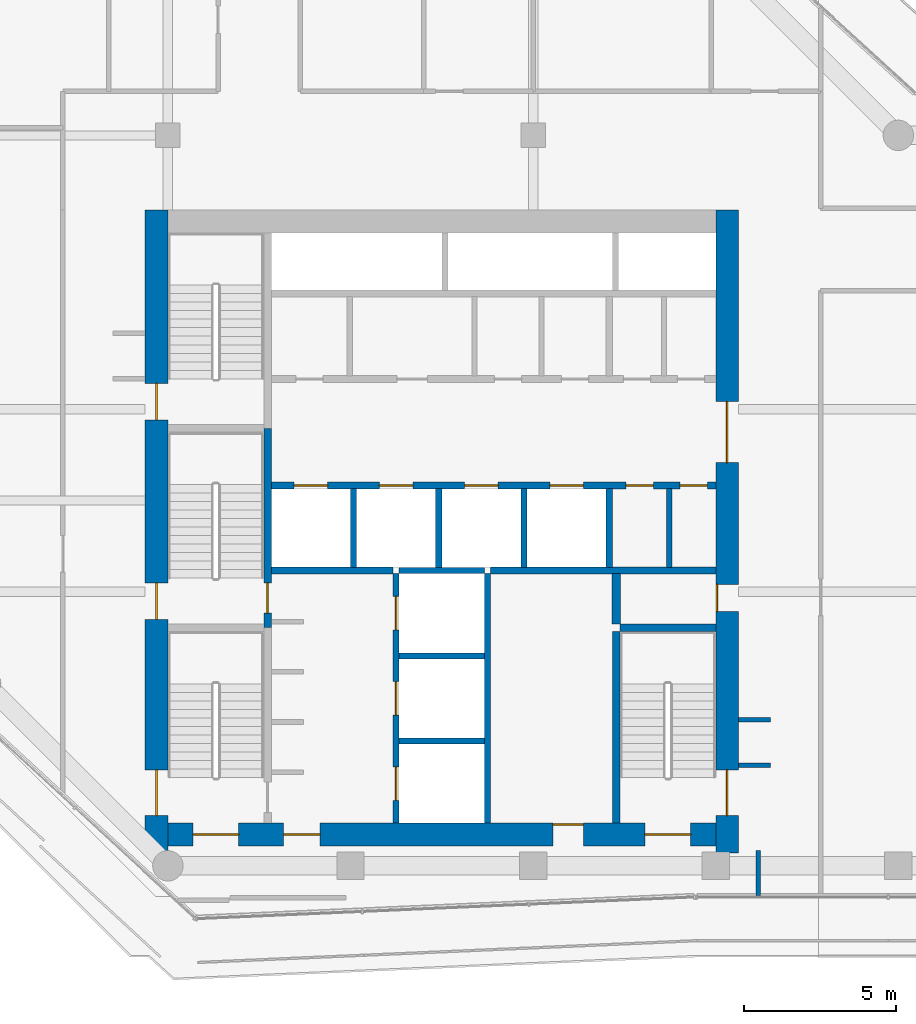
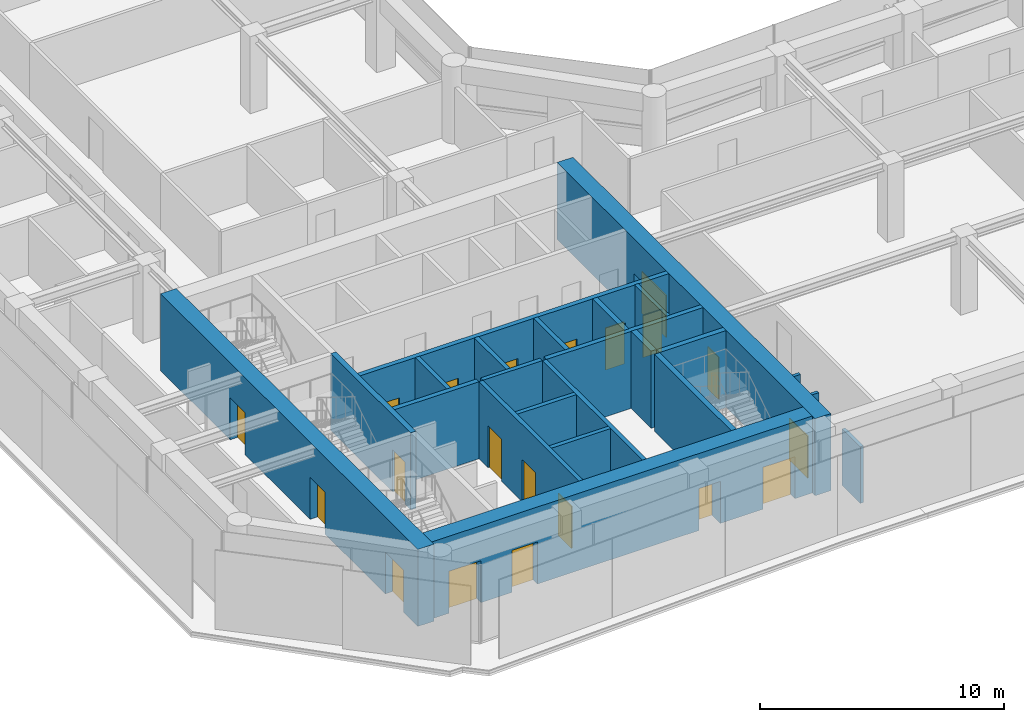
# One storey, part 19 of 24: 23 walls, 20 doors, 20 openings.
"""IFC4 building model written with IfcOpenShell, lengths in metres."""

from ifc_helpers import new_model, si_unit, direction, frame, frame_2d, origin, place, context, subcontext, project, spatial, rectangle, extrude, material, layer, layer_set, type_object, element, fill, save


model = new_model("IFC4")

# Units and contexts
model_context = context("Model", 3, precision=1e-05, world=origin(), true_north=direction((0.0, 1.0)))
body_context = subcontext(model_context, "Body", "Model", "MODEL_VIEW")
ifc_project = project(units=[si_unit("LENGTHUNIT", "METRE"), si_unit("AREAUNIT", "SQUARE_METRE"), si_unit("VOLUMEUNIT", "CUBIC_METRE"), si_unit("PLANEANGLEUNIT", "RADIAN"), si_unit("MASSUNIT", "GRAM", prefix="KILO")], contexts=[model_context])

# Site, building, storey
site_placement = place(None, origin())
site = spatial("IfcSite", under=ifc_project, at=site_placement, CompositionType="ELEMENT")
building_placement = place(site_placement, origin())
building = spatial("IfcBuilding", under=site, at=building_placement, Name="Welwitschia Terrace Campus", CompositionType="ELEMENT")
storey_placement = place(building_placement, frame((0.0, 0.0, 100.39990234375)))
storey = spatial("IfcBuildingStorey", under=building, at=storey_placement, Name="L22", CompositionType="ELEMENT", Elevation=100.39990234375)

# Walls
ifc_material_1 = material(Name="Concrete C32/40", Category="concrete")
ifc_layer_1 = layer(ifc_material_1, 0.175048828125)
ifc_layer_set_1 = layer_set([ifc_layer_1], Name="Concrete C32/40")
wall_type_1 = type_object("IfcWallType", Name="Core partition 175 Concrete C32/40", PredefinedType="PARTITIONING", material=ifc_layer_set_1)
wall_1_placement = place(storey_placement, frame((22.469970703125, 13.800048828125, 0.0), z_axis=(0.0, 0.0, 1.0), x_axis=(0.0, 1.0, 0.0)))
element("IfcWall", 1, at=wall_1_placement, inside=storey, type_object=wall_type_1, Name="Core partition", PredefinedType="PARTITIONING", context=body_context, shape_type="SweptSolid", body=[
    extrude(rectangle(XDim=2.599853515625, YDim=0.175048828125, at=frame_2d((1.2998046875, 0.0))), origin(), (0.0, 0.0, 1.0), 3.85009765625),
])
ifc_material_2 = material(Name="Concrete C32/40", Category="concrete")
ifc_layer_2 = layer(ifc_material_2, 0.22509765625)
ifc_layer_set_2 = layer_set([ifc_layer_2], Name="Concrete C32/40")
wall_type_2 = type_object("IfcWallType", Name="Core partition 225 Concrete C32/40", PredefinedType="PARTITIONING", material=ifc_layer_set_2)
wall_2_placement = place(storey_placement, frame((9.39990234375, 13.699951171875, 0.0), z_axis=(0.0, 0.0, 1.0), x_axis=(1.0, 0.0, 0.0)))
element("IfcWall", 2, at=wall_2_placement, inside=storey, type_object=wall_type_2, Name="Shaft wall", PredefinedType="PARTITIONING", context=body_context, shape_type="SweptSolid", body=[
    extrude(rectangle(XDim=4.0, YDim=0.22509765625, at=frame_2d((2.0, 0.0))), origin(), (0.0, 0.0, 1.0), 3.85009765625),
])
wall_3_placement = place(storey_placement, frame((16.60009765625, 13.699951171875, 0.0), z_axis=(0.0, 0.0, 1.0), x_axis=(1.0, 0.0, 0.0)))
element("IfcWall", 3, at=wall_3_placement, inside=storey, type_object=wall_type_2, Name="Shaft wall", PredefinedType="PARTITIONING", context=body_context, shape_type="SweptSolid", body=[
    extrude(rectangle(XDim=7.39990234375, YDim=0.22509765625, at=frame_2d((3.699951171875, 0.0))), origin(), (0.0, 0.0, 1.0), 3.85009765625),
])

# Wall, openings, doors
wall_4_placement = place(storey_placement, frame((9.39990234375, 16.5, 0.0), z_axis=(0.0, 0.0, 1.0), x_axis=(1.0, 0.0, 0.0)))
wall_4 = element("IfcWall", 4, at=wall_4_placement, inside=storey, type_object=wall_type_2, Name="Shaft wall", PredefinedType="PARTITIONING", context=body_context, shape_type="SweptSolid", body=[
    extrude(rectangle(XDim=14.60009765625, YDim=0.22509765625, at=frame_2d((7.300048828125, 0.0))), origin(), (0.0, 0.0, 1.0), 3.85009765625),
])
opening_1_placement = place(wall_4_placement, frame((0.75, 0.0, 0.0)))
opening_1 = element("IfcOpeningElement", 5, at=opening_1_placement, cuts=wall_4, Name="Opening LD", PredefinedType="OPENING", context=body_context, shape_type="SweptSolid", body=[
    extrude(rectangle(XDim=1.10009765625, YDim=2.10009765625, at=frame_2d((0.550048828125, 1.050048828125))), frame((0.0, 0.12255859375, 0.0), z_axis=(0.0, -1.0, 0.0), x_axis=(1.0, 0.0, 0.0)), (0.0, 0.0, 1.0), 0.2451171875),
])
opening_2_placement = place(wall_4_placement, frame((3.550048828125, 0.0, 0.0)))
opening_2 = element("IfcOpeningElement", 6, at=opening_2_placement, cuts=wall_4, Name="Opening LD", PredefinedType="OPENING", context=body_context, shape_type="SweptSolid", body=[
    extrude(rectangle(XDim=1.10009765625, YDim=2.10009765625, at=frame_2d((0.550048828125, 1.050048828125))), frame((0.0, 0.12255859375, 0.0), z_axis=(0.0, -1.0, 0.0), x_axis=(1.0, 0.0, 0.0)), (0.0, 0.0, 1.0), 0.2451171875),
])
opening_3_placement = place(wall_4_placement, frame((6.35009765625, 0.0, 0.0)))
opening_3 = element("IfcOpeningElement", 7, at=opening_3_placement, cuts=wall_4, Name="Opening LD", PredefinedType="OPENING", context=body_context, shape_type="SweptSolid", body=[
    extrude(rectangle(XDim=1.10009765625, YDim=2.10009765625, at=frame_2d((0.550048828125, 1.050048828125))), frame((0.0, 0.12255859375, 0.0), z_axis=(0.0, -1.0, 0.0), x_axis=(1.0, 0.0, 0.0)), (0.0, 0.0, 1.0), 0.2451171875),
])
opening_4_placement = place(wall_4_placement, frame((9.14990234375, 0.0, 0.0)))
opening_4 = element("IfcOpeningElement", 8, at=opening_4_placement, cuts=wall_4, Name="Opening LD", PredefinedType="OPENING", context=body_context, shape_type="SweptSolid", body=[
    extrude(rectangle(XDim=1.10009765625, YDim=2.10009765625, at=frame_2d((0.550048828125, 1.050048828125))), frame((0.0, 0.12255859375, 0.0), z_axis=(0.0, -1.0, 0.0), x_axis=(1.0, 0.0, 0.0)), (0.0, 0.0, 1.0), 0.2451171875),
])
opening_5_placement = place(wall_4_placement, frame((11.6474609375, 0.0, 0.0)))
opening_5 = element("IfcOpeningElement", 9, at=opening_5_placement, cuts=wall_4, Name="Opening DR09", PredefinedType="OPENING", context=body_context, shape_type="SweptSolid", body=[
    extrude(rectangle(XDim=0.89990234375, YDim=2.10009765625, at=frame_2d((0.449951171875, 1.050048828125))), frame((0.0, 0.12255859375, 0.0), z_axis=(0.0, -1.0, 0.0), x_axis=(1.0, 0.0, 0.0)), (0.0, 0.0, 1.0), 0.2451171875),
])
opening_6_placement = place(wall_4_placement, frame((13.422607421875, 0.0, 0.0)))
opening_6 = element("IfcOpeningElement", 10, at=opening_6_placement, cuts=wall_4, Name="Opening DR09", PredefinedType="OPENING", context=body_context, shape_type="SweptSolid", body=[
    extrude(rectangle(XDim=0.89990234375, YDim=2.10009765625, at=frame_2d((0.449951171875, 1.050048828125))), frame((0.0, 0.12255859375, 0.0), z_axis=(0.0, -1.0, 0.0), x_axis=(1.0, 0.0, 0.0)), (0.0, 0.0, 1.0), 0.2451171875),
])
ifc_material_3 = material(Name="Steel S275", Category="steel")
door_type_1 = type_object("IfcDoorType", Name="Core door DR09", OperationType="SINGLE_SWING_LEFT", PredefinedType="DOOR", material=ifc_material_3)
door_1_placement = place(opening_5_placement, origin())
door_1 = element("IfcDoor", 11, at=door_1_placement, inside=storey, type_object=door_type_1, Name="Door EL1-D", OperationType="SINGLE_SWING_RIGHT", OverallHeight=2.10009765625, OverallWidth=0.89990234375, PredefinedType="DOOR", context=body_context, shape_type="SweptSolid", body=[
    extrude(rectangle(XDim=0.89990234375, YDim=2.10009765625, at=frame_2d((0.449951171875, 1.050048828125))), frame((0.0, 0.02490234375, 0.0), z_axis=(0.0, -1.0, 0.0), x_axis=(1.0, 0.0, 0.0)), (0.0, 0.0, 1.0), 0.050048828125),
])
fill(opening_5, door_1)
door_2_placement = place(opening_6_placement, origin())
door_2 = element("IfcDoor", 12, at=door_2_placement, inside=storey, type_object=door_type_1, Name="Door EL2-D", OperationType="SINGLE_SWING_RIGHT", OverallHeight=2.10009765625, OverallWidth=0.89990234375, PredefinedType="DOOR", context=body_context, shape_type="SweptSolid", body=[
    extrude(rectangle(XDim=0.89990234375, YDim=2.10009765625, at=frame_2d((0.449951171875, 1.050048828125))), frame((0.0, 0.02490234375, 0.0), z_axis=(0.0, -1.0, 0.0), x_axis=(1.0, 0.0, 0.0)), (0.0, 0.0, 1.0), 0.050048828125),
])
fill(opening_6, door_2)
ifc_material_4 = material(Name="Stainless steel 304", Category="steel")
door_type_2 = type_object("IfcDoorType", Name="Lift landing door", OperationType="DOUBLE_DOOR_SLIDING", PredefinedType="DOOR", material=ifc_material_4)
door_3_placement = place(opening_1_placement, origin())
door_3 = element("IfcDoor", 13, at=door_3_placement, inside=storey, type_object=door_type_2, Name="Landing door LR1", OperationType="DOUBLE_DOOR_SLIDING", OverallHeight=2.10009765625, OverallWidth=1.10009765625, PredefinedType="DOOR", context=body_context, shape_type="SweptSolid", body=[
    extrude(rectangle(XDim=1.10009765625, YDim=2.10009765625, at=frame_2d((0.550048828125, 1.050048828125))), frame((0.0, 0.02490234375, 0.0), z_axis=(0.0, -1.0, 0.0), x_axis=(1.0, 0.0, 0.0)), (0.0, 0.0, 1.0), 0.050048828125),
])
fill(opening_1, door_3)
door_4_placement = place(opening_2_placement, origin())
door_4 = element("IfcDoor", 14, at=door_4_placement, inside=storey, type_object=door_type_2, Name="Landing door LR2", OperationType="DOUBLE_DOOR_SLIDING", OverallHeight=2.10009765625, OverallWidth=1.10009765625, PredefinedType="DOOR", context=body_context, shape_type="SweptSolid", body=[
    extrude(rectangle(XDim=1.10009765625, YDim=2.10009765625, at=frame_2d((0.550048828125, 1.050048828125))), frame((0.0, 0.02490234375, 0.0), z_axis=(0.0, -1.0, 0.0), x_axis=(1.0, 0.0, 0.0)), (0.0, 0.0, 1.0), 0.050048828125),
])
fill(opening_2, door_4)
door_5_placement = place(opening_3_placement, origin())
door_5 = element("IfcDoor", 15, at=door_5_placement, inside=storey, type_object=door_type_2, Name="Landing door LR3", OperationType="DOUBLE_DOOR_SLIDING", OverallHeight=2.10009765625, OverallWidth=1.10009765625, PredefinedType="DOOR", context=body_context, shape_type="SweptSolid", body=[
    extrude(rectangle(XDim=1.10009765625, YDim=2.10009765625, at=frame_2d((0.550048828125, 1.050048828125))), frame((0.0, 0.02490234375, 0.0), z_axis=(0.0, -1.0, 0.0), x_axis=(1.0, 0.0, 0.0)), (0.0, 0.0, 1.0), 0.050048828125),
])
fill(opening_3, door_5)
door_6_placement = place(opening_4_placement, origin())
door_6 = element("IfcDoor", 16, at=door_6_placement, inside=storey, type_object=door_type_2, Name="Landing door LR4", OperationType="DOUBLE_DOOR_SLIDING", OverallHeight=2.10009765625, OverallWidth=1.10009765625, PredefinedType="DOOR", context=body_context, shape_type="SweptSolid", body=[
    extrude(rectangle(XDim=1.10009765625, YDim=2.10009765625, at=frame_2d((0.550048828125, 1.050048828125))), frame((0.0, 0.02490234375, 0.0), z_axis=(0.0, -1.0, 0.0), x_axis=(1.0, 0.0, 0.0)), (0.0, 0.0, 1.0), 0.050048828125),
])
fill(opening_4, door_6)

# Walls
wall_5_placement = place(storey_placement, frame((20.5, 13.800048828125, 0.0), z_axis=(0.0, 0.0, 1.0), x_axis=(0.0, 1.0, 0.0)))
element("IfcWall", 17, at=wall_5_placement, inside=storey, type_object=wall_type_2, Name="Shaft wall", PredefinedType="PARTITIONING", context=body_context, shape_type="SweptSolid", body=[
    extrude(rectangle(XDim=2.599853515625, YDim=0.22509765625, at=frame_2d((1.2998046875, 0.0))), origin(), (0.0, 0.0, 1.0), 3.85009765625),
])
ifc_material_5 = material(Name="Concrete C32/40", Category="concrete")
ifc_layer_3 = layer(ifc_material_5, 0.27490234375)
ifc_layer_set_3 = layer_set([ifc_layer_3], Name="Concrete C32/40")
wall_type_3 = type_object("IfcWallType", Name="Core partition 275 Concrete C32/40", PredefinedType="PARTITIONING", material=ifc_layer_set_3)
wall_6_placement = place(storey_placement, frame((20.72509765625, 11.949951171875, 0.0), z_axis=(0.0, 0.0, 1.0), x_axis=(0.0, 1.0, 0.0)))
element("IfcWall", 18, at=wall_6_placement, inside=storey, type_object=wall_type_3, Name="Core partition", PredefinedType="PARTITIONING", context=body_context, shape_type="SweptSolid", body=[
    extrude(rectangle(XDim=1.650146484375, YDim=0.27490234375, at=frame_2d((0.8251953125, 0.0))), origin(), (0.0, 0.0, 1.0), 3.85009765625),
])
ifc_material_6 = material(Name="Concrete C50/60", Category="concrete")
ifc_layer_4 = layer(ifc_material_6, 0.199951171875)
ifc_layer_set_4 = layer_set([ifc_layer_4], Name="Concrete C50/60")
wall_type_4 = type_object("IfcWallType", Name="Core wall 200 Concrete C50/60", PredefinedType="SHEAR", material=ifc_layer_set_4)
for number, where, z_axis, x_axis, name in (
    (19, (13.60009765625, 8.10009765625, 0.0), (0.0, 0.0, 1.0), (1.0, 0.0, 0.0), "Core wall"),
    (20, (13.60009765625, 10.89990234375, 0.0), (0.0, 0.0, 1.0), (1.0, 0.0, 0.0), "Core wall"),
    (21, (13.60009765625, 13.699951171875, 0.0), (0.0, 0.0, 1.0), (1.0, 0.0, 0.0), "Core wall"),
):
    element("IfcWall", number, at=place(storey_placement, frame(where, z_axis=z_axis, x_axis=x_axis)), inside=storey, type_object=wall_type_4, Name=name, PredefinedType="SHEAR", context=body_context, shape_type="SweptSolid", body=[
        extrude(rectangle(XDim=2.7998046875, YDim=0.199951171875, at=frame_2d((1.39990234375, 0.0))), origin(), (0.0, 0.0, 1.0), 3.85009765625),
    ])

# Wall, openings, doors
wall_7_placement = place(storey_placement, frame((13.5, 5.39990234375, 0.0), z_axis=(0.0, 0.0, 1.0), x_axis=(0.0, 1.0, 0.0)))
wall_7 = element("IfcWall", 22, at=wall_7_placement, inside=storey, type_object=wall_type_4, Name="Core wall", PredefinedType="SHEAR", context=body_context, shape_type="SweptSolid", body=[
    extrude(rectangle(XDim=8.2001953125, YDim=0.199951171875, at=frame_2d((4.10009765625, 0.0))), origin(), (0.0, 0.0, 1.0), 3.85009765625),
])
opening_7_placement = place(wall_7_placement, frame((0.75, 0.0, 0.0)))
opening_7 = element("IfcOpeningElement", 23, at=opening_7_placement, cuts=wall_7, Name="Opening LD", PredefinedType="OPENING", context=body_context, shape_type="SweptSolid", body=[
    extrude(rectangle(XDim=1.10009765625, YDim=2.10009765625, at=frame_2d((0.550048828125, 1.050048828125))), frame((0.0, 0.10986328125, 0.0), z_axis=(0.0, -1.0, 0.0), x_axis=(1.0, 0.0, 0.0)), (0.0, 0.0, 1.0), 0.219970703125),
])
opening_8_placement = place(wall_7_placement, frame((3.550048828125, 0.0, 0.0)))
opening_8 = element("IfcOpeningElement", 24, at=opening_8_placement, cuts=wall_7, Name="Opening LD", PredefinedType="OPENING", context=body_context, shape_type="SweptSolid", body=[
    extrude(rectangle(XDim=1.10009765625, YDim=2.10009765625, at=frame_2d((0.550048828125, 1.050048828125))), frame((0.0, 0.10986328125, 0.0), z_axis=(0.0, -1.0, 0.0), x_axis=(1.0, 0.0, 0.0)), (0.0, 0.0, 1.0), 0.219970703125),
])
opening_9_placement = place(wall_7_placement, frame((6.35009765625, 0.0, 0.0)))
opening_9 = element("IfcOpeningElement", 25, at=opening_9_placement, cuts=wall_7, Name="Opening LD", PredefinedType="OPENING", context=body_context, shape_type="SweptSolid", body=[
    extrude(rectangle(XDim=1.10009765625, YDim=2.10009765625, at=frame_2d((0.550048828125, 1.050048828125))), frame((0.0, 0.10986328125, 0.0), z_axis=(0.0, -1.0, 0.0), x_axis=(1.0, 0.0, 0.0)), (0.0, 0.0, 1.0), 0.219970703125),
])
door_7_placement = place(opening_7_placement, origin())
door_7 = element("IfcDoor", 26, at=door_7_placement, inside=storey, type_object=door_type_2, Name="Landing door FF1", OperationType="DOUBLE_DOOR_SLIDING", OverallHeight=2.10009765625, OverallWidth=1.10009765625, PredefinedType="DOOR", context=body_context, shape_type="SweptSolid", body=[
    extrude(rectangle(XDim=1.10009765625, YDim=2.10009765625, at=frame_2d((0.550048828125, 1.050048828125))), frame((0.0, 0.02490234375, 0.0), z_axis=(0.0, -1.0, 0.0), x_axis=(1.0, 0.0, 0.0)), (0.0, 0.0, 1.0), 0.050048828125),
])
fill(opening_7, door_7)
door_8_placement = place(opening_8_placement, origin())
door_8 = element("IfcDoor", 27, at=door_8_placement, inside=storey, type_object=door_type_2, Name="Landing door FF2", OperationType="DOUBLE_DOOR_SLIDING", OverallHeight=2.10009765625, OverallWidth=1.10009765625, PredefinedType="DOOR", context=body_context, shape_type="SweptSolid", body=[
    extrude(rectangle(XDim=1.10009765625, YDim=2.10009765625, at=frame_2d((0.550048828125, 1.050048828125))), frame((0.0, 0.02490234375, 0.0), z_axis=(0.0, -1.0, 0.0), x_axis=(1.0, 0.0, 0.0)), (0.0, 0.0, 1.0), 0.050048828125),
])
fill(opening_8, door_8)
door_9_placement = place(opening_9_placement, origin())
door_9 = element("IfcDoor", 28, at=door_9_placement, inside=storey, type_object=door_type_2, Name="Landing door SV1", OperationType="DOUBLE_DOOR_SLIDING", OverallHeight=2.10009765625, OverallWidth=1.10009765625, PredefinedType="DOOR", context=body_context, shape_type="SweptSolid", body=[
    extrude(rectangle(XDim=1.10009765625, YDim=2.10009765625, at=frame_2d((0.550048828125, 1.050048828125))), frame((0.0, 0.02490234375, 0.0), z_axis=(0.0, -1.0, 0.0), x_axis=(1.0, 0.0, 0.0)), (0.0, 0.0, 1.0), 0.050048828125),
])
fill(opening_9, door_9)

# Walls
wall_8_placement = place(storey_placement, frame((16.5, 5.39990234375, 0.0), z_axis=(0.0, 0.0, 1.0), x_axis=(0.0, 1.0, 0.0)))
element("IfcWall", 29, at=wall_8_placement, inside=storey, type_object=wall_type_4, Name="Core wall", PredefinedType="SHEAR", context=body_context, shape_type="SweptSolid", body=[
    extrude(rectangle(XDim=8.2001953125, YDim=0.199951171875, at=frame_2d((4.10009765625, 0.0))), origin(), (0.0, 0.0, 1.0), 3.85009765625),
])
ifc_material_7 = material(Name="Concrete C50/60", Category="concrete")
ifc_layer_5 = layer(ifc_material_7, 0.25)
ifc_layer_set_5 = layer_set([ifc_layer_5], Name="Concrete C50/60")
wall_type_5 = type_object("IfcWallType", Name="Core wall 250 Concrete C50/60", PredefinedType="SHEAR", material=ifc_layer_set_5)
wall_9_placement = place(storey_placement, frame((20.85009765625, 11.824951171875, 0.0), z_axis=(0.0, 0.0, 1.0), x_axis=(1.0, 0.0, 0.0)))
element("IfcWall", 30, at=wall_9_placement, inside=storey, type_object=wall_type_5, Name="Core wall", PredefinedType="SHEAR", context=body_context, shape_type="SweptSolid", body=[
    extrude(rectangle(XDim=3.14990234375, YDim=0.25, at=frame_2d((1.574951171875, 0.0))), origin(), (0.0, 0.0, 1.0), 3.85009765625),
])

# Wall, opening, door
wall_10_placement = place(storey_placement, frame((9.27490234375, 18.375, 0.0), z_axis=(0.0, 0.0, 1.0), x_axis=(0.0, -1.0, 0.0)))
wall_10 = element("IfcWall", 31, at=wall_10_placement, inside=storey, type_object=wall_type_5, Name="Core wall", PredefinedType="SHEAR", context=body_context, shape_type="SweptSolid", body=[
    extrude(rectangle(XDim=6.550048828125, YDim=0.25, at=frame_2d((3.27490234375, 0.0))), origin(), (0.0, 0.0, 1.0), 3.85009765625),
])
opening_10_placement = place(wall_10_placement, frame((5.074951171875, 0.0, 0.0)))
opening_10 = element("IfcOpeningElement", 32, at=opening_10_placement, cuts=wall_10, Name="Opening DS10", PredefinedType="OPENING", context=body_context, shape_type="SweptSolid", body=[
    extrude(rectangle(XDim=1.0, YDim=2.10009765625, at=frame_2d((0.5, 1.050048828125))), frame((0.0, 0.135009765625, 0.0), z_axis=(0.0, -1.0, 0.0), x_axis=(1.0, 0.0, 0.0)), (0.0, 0.0, 1.0), 0.27001953125),
])
ifc_material_8 = material(Name="Steel S275", Category="steel")
door_type_3 = type_object("IfcDoorType", Name="Core door DS10", OperationType="SINGLE_SWING_LEFT", PredefinedType="DOOR", material=ifc_material_8)
door_10_placement = place(opening_10_placement, origin())
door_10 = element("IfcDoor", 33, at=door_10_placement, inside=storey, type_object=door_type_3, Name="Door S3-FL", OperationType="SINGLE_SWING_RIGHT", OverallHeight=2.10009765625, OverallWidth=1.0, PredefinedType="DOOR", context=body_context, shape_type="SweptSolid", body=[
    extrude(rectangle(XDim=1.0, YDim=2.10009765625, at=frame_2d((0.5, 1.050048828125))), frame((0.0, 0.02490234375, 0.0), z_axis=(0.0, -1.0, 0.0), x_axis=(1.0, 0.0, 0.0)), (0.0, 0.0, 1.0), 0.050048828125),
])
fill(opening_10, door_10)

# Wall
wall_11_placement = place(storey_placement, frame((20.72509765625, 5.39990234375, 0.0), z_axis=(0.0, 0.0, 1.0), x_axis=(0.0, 1.0, 0.0)))
element("IfcWall", 34, at=wall_11_placement, inside=storey, type_object=wall_type_5, Name="Core wall", PredefinedType="SHEAR", context=body_context, shape_type="SweptSolid", body=[
    extrude(rectangle(XDim=6.300048828125, YDim=0.25, at=frame_2d((3.14990234375, 0.0))), origin(), (0.0, 0.0, 1.0), 3.85009765625),
])

# Wall, openings, doors
ifc_material_9 = material(Name="Concrete C70/85", Category="concrete")
ifc_layer_6 = layer(ifc_material_9, 0.75)
ifc_layer_set_6 = layer_set([ifc_layer_6], Name="Concrete C70/85")
wall_type_6 = type_object("IfcWallType", Name="Core wall 750 Concrete C70/85", PredefinedType="SHEAR", material=ifc_layer_set_6)
wall_12_placement = place(storey_placement, frame((5.625, 4.469970703125, 0.0), z_axis=(0.0, 0.0, 1.0), x_axis=(0.0, 1.0, 0.0)))
wall_12 = element("IfcWall", 35, at=wall_12_placement, inside=storey, type_object=wall_type_6, Name="Core outer wall", PredefinedType="SHEAR", context=body_context, shape_type="SweptSolid", body=[
    extrude(rectangle(XDim=21.080078125, YDim=0.75, at=frame_2d((10.5400390625, 0.0))), origin(), (0.0, 0.0, 1.0), 3.85009765625),
])
opening_11_placement = place(wall_12_placement, frame((1.179931640625, 0.0, 0.0)))
opening_11 = element("IfcOpeningElement", 36, at=opening_11_placement, cuts=wall_12, Name="Opening DS15", PredefinedType="OPENING", context=body_context, shape_type="SweptSolid", body=[
    extrude(rectangle(XDim=1.5, YDim=2.10009765625, at=frame_2d((0.75, 1.050048828125))), frame((0.0, 0.385009765625, 0.0), z_axis=(0.0, -1.0, 0.0), x_axis=(1.0, 0.0, 0.0)), (0.0, 0.0, 1.0), 0.77001953125),
])
opening_12_placement = place(wall_12_placement, frame((7.6298828125, 0.0, 0.0)))
opening_12 = element("IfcOpeningElement", 37, at=opening_12_placement, cuts=wall_12, Name="Opening DS12", PredefinedType="OPENING", context=body_context, shape_type="SweptSolid", body=[
    extrude(rectangle(XDim=1.199951171875, YDim=2.10009765625, at=frame_2d((0.60009765625, 1.050048828125))), frame((0.0, 0.385009765625, 0.0), z_axis=(0.0, -1.0, 0.0), x_axis=(1.0, 0.0, 0.0)), (0.0, 0.0, 1.0), 0.77001953125),
])
opening_13_placement = place(wall_12_placement, frame((14.179931640625, 0.0, 0.0)))
opening_13 = element("IfcOpeningElement", 38, at=opening_13_placement, cuts=wall_12, Name="Opening DS12", PredefinedType="OPENING", context=body_context, shape_type="SweptSolid", body=[
    extrude(rectangle(XDim=1.199951171875, YDim=2.10009765625, at=frame_2d((0.60009765625, 1.050048828125))), frame((0.0, 0.385009765625, 0.0), z_axis=(0.0, -1.0, 0.0), x_axis=(1.0, 0.0, 0.0)), (0.0, 0.0, 1.0), 0.77001953125),
])
ifc_material_10 = material(Name="Steel S275", Category="steel")
door_type_4 = type_object("IfcDoorType", Name="Core door DS12", OperationType="SINGLE_SWING_LEFT", PredefinedType="DOOR", material=ifc_material_10)
door_11_placement = place(opening_12_placement, origin())
door_11 = element("IfcDoor", 39, at=door_11_placement, inside=storey, type_object=door_type_4, Name="Door S3-out", OperationType="SINGLE_SWING_LEFT", OverallHeight=2.10009765625, OverallWidth=1.199951171875, PredefinedType="DOOR", context=body_context, shape_type="SweptSolid", body=[
    extrude(rectangle(XDim=1.199951171875, YDim=2.10009765625, at=frame_2d((0.60009765625, 1.050048828125))), frame((0.0, 0.02490234375, 0.0), z_axis=(0.0, -1.0, 0.0), x_axis=(1.0, 0.0, 0.0)), (0.0, 0.0, 1.0), 0.050048828125),
])
fill(opening_12, door_11)
door_12_placement = place(opening_13_placement, origin())
door_12 = element("IfcDoor", 40, at=door_12_placement, inside=storey, type_object=door_type_4, Name="Door S4-out", OperationType="SINGLE_SWING_RIGHT", OverallHeight=2.10009765625, OverallWidth=1.199951171875, PredefinedType="DOOR", context=body_context, shape_type="SweptSolid", body=[
    extrude(rectangle(XDim=1.199951171875, YDim=2.10009765625, at=frame_2d((0.60009765625, 1.050048828125))), frame((0.0, 0.02490234375, 0.0), z_axis=(0.0, -1.0, 0.0), x_axis=(1.0, 0.0, 0.0)), (0.0, 0.0, 1.0), 0.050048828125),
])
fill(opening_13, door_12)
ifc_material_11 = material(Name="Steel S275", Category="steel")
door_type_5 = type_object("IfcDoorType", Name="Core door DS15", OperationType="DOUBLE_DOOR_SINGLE_SWING", PredefinedType="DOOR", material=ifc_material_11)
door_13_placement = place(opening_11_placement, origin())
door_13 = element("IfcDoor", 41, at=door_13_placement, inside=storey, type_object=door_type_5, Name="Door S1-out", OperationType="DOUBLE_DOOR_SINGLE_SWING", OverallHeight=2.10009765625, OverallWidth=1.5, PredefinedType="DOOR", context=body_context, shape_type="SweptSolid", body=[
    extrude(rectangle(XDim=1.5, YDim=2.10009765625, at=frame_2d((0.75, 1.050048828125))), frame((0.0, 0.02490234375, 0.0), z_axis=(0.0, -1.0, 0.0), x_axis=(1.0, 0.0, 0.0)), (0.0, 0.0, 1.0), 0.050048828125),
])
fill(opening_11, door_13)

wall_13_placement = place(storey_placement, frame((24.375, 25.550048828125, 0.0), z_axis=(0.0, 0.0, 1.0), x_axis=(0.0, -1.0, 0.0)))
wall_13 = element("IfcWall", 42, at=wall_13_placement, inside=storey, type_object=wall_type_6, Name="Core outer wall", PredefinedType="SHEAR", context=body_context, shape_type="SweptSolid", body=[
    extrude(rectangle(XDim=21.130126953125, YDim=0.75, at=frame_2d((10.56494140625, 0.0))), origin(), (0.0, 0.0, 1.0), 3.85009765625),
])
opening_14_placement = place(wall_13_placement, frame((18.39990234375, 0.0, 0.0)))
opening_14 = element("IfcOpeningElement", 43, at=opening_14_placement, cuts=wall_13, Name="Opening DS15", PredefinedType="OPENING", context=body_context, shape_type="SweptSolid", body=[
    extrude(rectangle(XDim=1.5, YDim=2.10009765625, at=frame_2d((0.75, 1.050048828125))), frame((0.0, 0.385009765625, 0.0), z_axis=(0.0, -1.0, 0.0), x_axis=(1.0, 0.0, 0.0)), (0.0, 0.0, 1.0), 0.77001953125),
])
opening_15_placement = place(wall_13_placement, frame((12.300048828125, 0.0, 0.0)))
opening_15 = element("IfcOpeningElement", 44, at=opening_15_placement, cuts=wall_13, Name="Opening DR09", PredefinedType="OPENING", context=body_context, shape_type="SweptSolid", body=[
    extrude(rectangle(XDim=0.89990234375, YDim=2.10009765625, at=frame_2d((0.449951171875, 1.050048828125))), frame((0.0, 0.385009765625, 0.0), z_axis=(0.0, -1.0, 0.0), x_axis=(1.0, 0.0, 0.0)), (0.0, 0.0, 1.0), 0.77001953125),
])
opening_16_placement = place(wall_13_placement, frame((6.300048828125, 0.0, 0.0)))
opening_16 = element("IfcOpeningElement", 45, at=opening_16_placement, cuts=wall_13, Name="Opening DL20", PredefinedType="OPENING", context=body_context, shape_type="SweptSolid", body=[
    extrude(rectangle(XDim=2.0, YDim=2.10009765625, at=frame_2d((1.0, 1.050048828125))), frame((0.0, 0.385009765625, 0.0), z_axis=(0.0, -1.0, 0.0), x_axis=(1.0, 0.0, 0.0)), (0.0, 0.0, 1.0), 0.77001953125),
])
ifc_material_12 = material(Name="Steel S275", Category="steel")
door_type_6 = type_object("IfcDoorType", Name="Core door DL20", OperationType="DOUBLE_DOOR_SINGLE_SWING", PredefinedType="DOOR", material=ifc_material_12)
door_14_placement = place(opening_16_placement, origin())
door_14 = element("IfcDoor", 46, at=door_14_placement, inside=storey, type_object=door_type_6, Name="Door LOBBY-out", OperationType="DOUBLE_DOOR_SINGLE_SWING", OverallHeight=2.10009765625, OverallWidth=2.0, PredefinedType="DOOR", context=body_context, shape_type="SweptSolid", body=[
    extrude(rectangle(XDim=2.0, YDim=2.10009765625, at=frame_2d((1.0, 1.050048828125))), frame((0.0, 0.02490234375, 0.0), z_axis=(0.0, -1.0, 0.0), x_axis=(1.0, 0.0, 0.0)), (0.0, 0.0, 1.0), 0.050048828125),
])
fill(opening_16, door_14)
door_15_placement = place(opening_15_placement, origin())
door_15 = element("IfcDoor", 47, at=door_15_placement, inside=storey, type_object=door_type_1, Name="Door F1B-out", OperationType="SINGLE_SWING_RIGHT", OverallHeight=2.10009765625, OverallWidth=0.89990234375, PredefinedType="DOOR", context=body_context, shape_type="SweptSolid", body=[
    extrude(rectangle(XDim=0.89990234375, YDim=2.10009765625, at=frame_2d((0.449951171875, 1.050048828125))), frame((0.0, -0.31494140625, 0.0), z_axis=(0.0, -1.0, 0.0), x_axis=(1.0, 0.0, 0.0)), (0.0, 0.0, 1.0), 0.050048828125),
])
fill(opening_15, door_15)
door_16_placement = place(opening_14_placement, origin())
door_16 = element("IfcDoor", 48, at=door_16_placement, inside=storey, type_object=door_type_5, Name="Door S2-out", OperationType="DOUBLE_DOOR_SINGLE_SWING", OverallHeight=2.10009765625, OverallWidth=1.5, PredefinedType="DOOR", context=body_context, shape_type="SweptSolid", body=[
    extrude(rectangle(XDim=1.5, YDim=2.10009765625, at=frame_2d((0.75, 1.050048828125))), frame((0.0, 0.02490234375, 0.0), z_axis=(0.0, -1.0, 0.0), x_axis=(1.0, 0.0, 0.0)), (0.0, 0.0, 1.0), 0.050048828125),
])
fill(opening_14, door_16)

wall_14_placement = place(storey_placement, frame((24.0, 5.02490234375, 0.0), z_axis=(0.0, 0.0, 1.0), x_axis=(-1.0, 0.0, 0.0)))
wall_14 = element("IfcWall", 49, at=wall_14_placement, inside=storey, type_object=wall_type_6, Name="Core outer wall", PredefinedType="SHEAR", context=body_context, shape_type="SweptSolid", body=[
    extrude(rectangle(XDim=18.0, YDim=0.75, at=frame_2d((9.0, 0.0))), origin(), (0.0, 0.0, 1.0), 3.85009765625),
])
opening_17_placement = place(wall_14_placement, frame((0.824951171875, 0.0, 0.0)))
opening_17 = element("IfcOpeningElement", 50, at=opening_17_placement, cuts=wall_14, Name="Opening DS15", PredefinedType="OPENING", context=body_context, shape_type="SweptSolid", body=[
    extrude(rectangle(XDim=1.5, YDim=2.10009765625, at=frame_2d((0.75, 1.050048828125))), frame((0.0, 0.385009765625, 0.0), z_axis=(0.0, -1.0, 0.0), x_axis=(1.0, 0.0, 0.0)), (0.0, 0.0, 1.0), 0.77001953125),
])
opening_18_placement = place(wall_14_placement, frame((15.675048828125, 0.0, 0.0)))
opening_18 = element("IfcOpeningElement", 51, at=opening_18_placement, cuts=wall_14, Name="Opening DS15", PredefinedType="OPENING", context=body_context, shape_type="SweptSolid", body=[
    extrude(rectangle(XDim=1.5, YDim=2.10009765625, at=frame_2d((0.75, 1.050048828125))), frame((0.0, 0.385009765625, 0.0), z_axis=(0.0, -1.0, 0.0), x_axis=(1.0, 0.0, 0.0)), (0.0, 0.0, 1.0), 0.77001953125),
])
opening_19_placement = place(wall_14_placement, frame((13.0, 0.0, 0.0)))
opening_19 = element("IfcOpeningElement", 52, at=opening_19_placement, cuts=wall_14, Name="Opening DF12", PredefinedType="OPENING", context=body_context, shape_type="SweptSolid", body=[
    extrude(rectangle(XDim=1.199951171875, YDim=2.10009765625, at=frame_2d((0.60009765625, 1.050048828125))), frame((0.0, 0.385009765625, 0.0), z_axis=(0.0, -1.0, 0.0), x_axis=(1.0, 0.0, 0.0)), (0.0, 0.0, 1.0), 0.77001953125),
])
opening_20_placement = place(wall_14_placement, frame((4.35009765625, 0.0, 0.0)))
opening_20 = element("IfcOpeningElement", 53, at=opening_20_placement, cuts=wall_14, Name="Opening DR10", PredefinedType="OPENING", context=body_context, shape_type="SweptSolid", body=[
    extrude(rectangle(XDim=1.0, YDim=2.10009765625, at=frame_2d((0.5, 1.050048828125))), frame((0.0, 0.385009765625, 0.0), z_axis=(0.0, -1.0, 0.0), x_axis=(1.0, 0.0, 0.0)), (0.0, 0.0, 1.0), 0.77001953125),
])
ifc_material_13 = material(Name="Steel S275", Category="steel")
door_type_7 = type_object("IfcDoorType", Name="Core door DF12", OperationType="SINGLE_SWING_LEFT", PredefinedType="DOOR", material=ifc_material_13)
door_17_placement = place(opening_19_placement, origin())
door_17 = element("IfcDoor", 54, at=door_17_placement, inside=storey, type_object=door_type_7, Name="Door FL-out", OperationType="SINGLE_SWING_RIGHT", OverallHeight=2.10009765625, OverallWidth=1.199951171875, PredefinedType="DOOR", context=body_context, shape_type="SweptSolid", body=[
    extrude(rectangle(XDim=1.199951171875, YDim=2.10009765625, at=frame_2d((0.60009765625, 1.050048828125))), frame((0.0, 0.02490234375, 0.0), z_axis=(0.0, -1.0, 0.0), x_axis=(1.0, 0.0, 0.0)), (0.0, 0.0, 1.0), 0.050048828125),
])
fill(opening_19, door_17)
ifc_material_14 = material(Name="Steel S275", Category="steel")
door_type_8 = type_object("IfcDoorType", Name="Core door DR10", OperationType="SINGLE_SWING_LEFT", PredefinedType="DOOR", material=ifc_material_14)
door_18_placement = place(opening_20_placement, origin())
door_18 = element("IfcDoor", 55, at=door_18_placement, inside=storey, type_object=door_type_8, Name="Door F1-out", OperationType="SINGLE_SWING_LEFT", OverallHeight=2.10009765625, OverallWidth=1.0, PredefinedType="DOOR", context=body_context, shape_type="SweptSolid", body=[
    extrude(rectangle(XDim=1.0, YDim=2.10009765625, at=frame_2d((0.5, 1.050048828125))), frame((0.0, -0.31494140625, 0.0), z_axis=(0.0, -1.0, 0.0), x_axis=(1.0, 0.0, 0.0)), (0.0, 0.0, 1.0), 0.050048828125),
])
fill(opening_20, door_18)
door_19_placement = place(opening_17_placement, origin())
door_19 = element("IfcDoor", 56, at=door_19_placement, inside=storey, type_object=door_type_5, Name="Door S2-outS", OperationType="DOUBLE_DOOR_SINGLE_SWING", OverallHeight=2.10009765625, OverallWidth=1.5, PredefinedType="DOOR", context=body_context, shape_type="SweptSolid", body=[
    extrude(rectangle(XDim=1.5, YDim=2.10009765625, at=frame_2d((0.75, 1.050048828125))), frame((0.0, 0.02490234375, 0.0), z_axis=(0.0, -1.0, 0.0), x_axis=(1.0, 0.0, 0.0)), (0.0, 0.0, 1.0), 0.050048828125),
])
fill(opening_17, door_19)
door_20_placement = place(opening_18_placement, origin())
door_20 = element("IfcDoor", 57, at=door_20_placement, inside=storey, type_object=door_type_5, Name="Door S1-outS", OperationType="DOUBLE_DOOR_SINGLE_SWING", OverallHeight=2.10009765625, OverallWidth=1.5, PredefinedType="DOOR", context=body_context, shape_type="SweptSolid", body=[
    extrude(rectangle(XDim=1.5, YDim=2.10009765625, at=frame_2d((0.75, 1.050048828125))), frame((0.0, 0.02490234375, 0.0), z_axis=(0.0, -1.0, 0.0), x_axis=(1.0, 0.0, 0.0)), (0.0, 0.0, 1.0), 0.050048828125),
])
fill(opening_18, door_20)

# Walls
ifc_material_15 = material(Name="Gypsum board on steel studs", Category="steel")
ifc_layer_7 = layer(ifc_material_15, 0.14990234375)
ifc_layer_set_7 = layer_set([ifc_layer_7], Name="Gypsum board on steel studs")
wall_type_7 = type_object("IfcWallType", Name="Corridor partition 150 EI 30", PredefinedType="PARTITIONING", material=ifc_layer_set_7)
for number, where, z_axis, x_axis, name in (
    (58, (24.75, 7.300048828125, 0.0), (0.0, 0.0, 1.0), (1.0, 0.0, 0.0), "Partition"),
    (59, (24.75, 8.800048828125, 0.0), (0.0, 0.0, 1.0), (1.0, 0.0, 0.0), "Partition"),
):
    element("IfcWall", number, at=place(storey_placement, frame(where, z_axis=z_axis, x_axis=x_axis)), inside=storey, type_object=wall_type_7, Name=name, PredefinedType="PARTITIONING", context=body_context, shape_type="SweptSolid", body=[
        extrude(rectangle(XDim=1.050048828125, YDim=0.14990234375, at=frame_2d((0.52490234375, 0.0))), origin(), (0.0, 0.0, 1.0), 2.830078125),
    ])
wall_15_placement = place(storey_placement, frame((25.39990234375, 3.02001953125, 0.0), z_axis=(0.0, 0.0, 1.0), x_axis=(0.0, 1.0, 0.0)))
element("IfcWall", 60, at=wall_15_placement, inside=storey, type_object=wall_type_7, Name="Partition", PredefinedType="PARTITIONING", context=body_context, shape_type="SweptSolid", body=[
    extrude(rectangle(XDim=1.47998046875, YDim=0.14990234375, at=frame_2d((0.739990234375, 0.0))), origin(), (0.0, 0.0, 1.0), 2.830078125),
])
ifc_material_16 = material(Name="Concrete C32/40", Category="concrete")
ifc_layer_8 = layer(ifc_material_16, 0.199951171875)
ifc_layer_set_8 = layer_set([ifc_layer_8], Name="Concrete C32/40")
wall_type_8 = type_object("IfcWallType", Name="Shaft wall 200 Concrete C32/40", PredefinedType="SOLIDWALL", material=ifc_layer_set_8)
for number, where, z_axis, x_axis, name in (
    (61, (12.10009765625, 13.800048828125, 0.0), (0.0, 0.0, 1.0), (0.0, 1.0, 0.0), "Shaft wall"),
    (62, (14.89990234375, 13.800048828125, 0.0), (0.0, 0.0, 1.0), (0.0, 1.0, 0.0), "Shaft wall"),
    (63, (17.699951171875, 13.800048828125, 0.0), (0.0, 0.0, 1.0), (0.0, 1.0, 0.0), "Shaft wall"),
):
    element("IfcWall", number, at=place(storey_placement, frame(where, z_axis=z_axis, x_axis=x_axis)), inside=storey, type_object=wall_type_8, Name=name, PredefinedType="SOLIDWALL", context=body_context, shape_type="SweptSolid", body=[
        extrude(rectangle(XDim=2.599853515625, YDim=0.199951171875, at=frame_2d((1.2998046875, 0.0))), origin(), (0.0, 0.0, 1.0), 3.85009765625),
    ])

save(model, "model.ifc")
